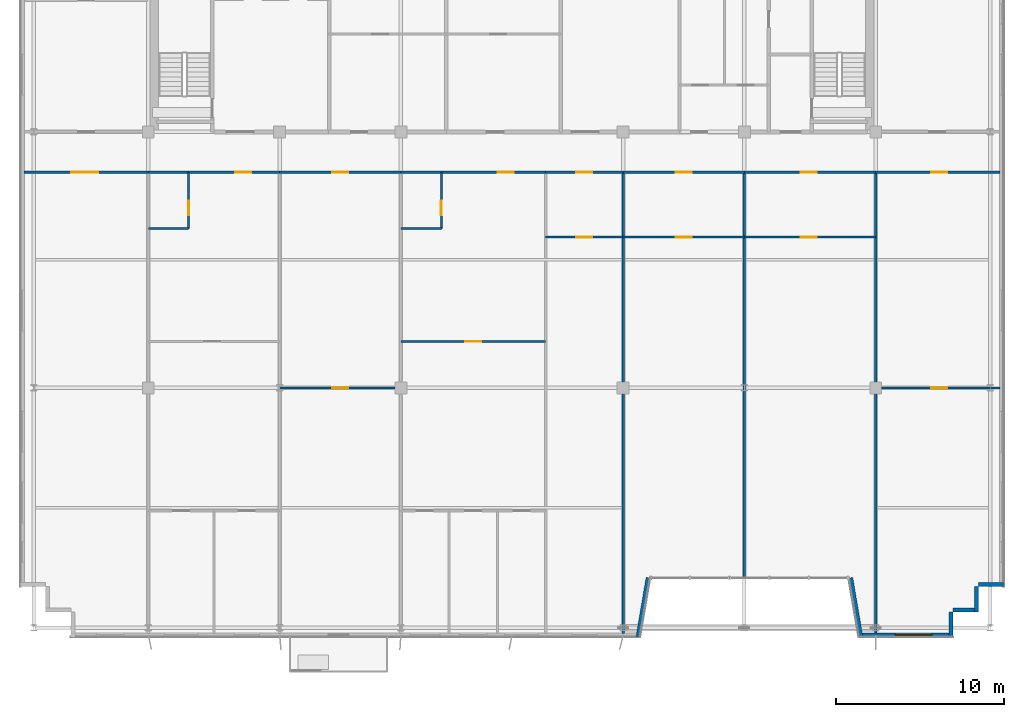
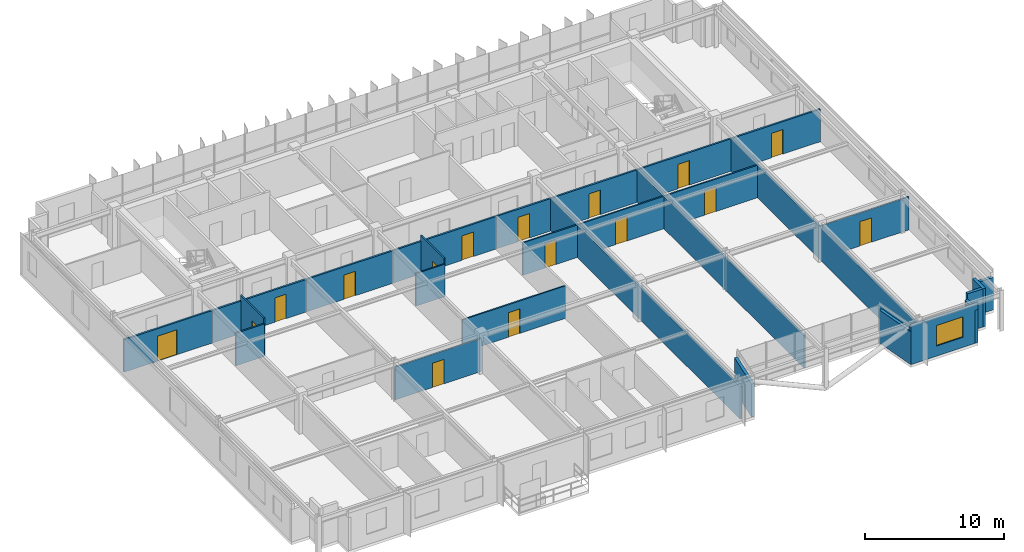
# One storey, part 22 of 27: 28 walls, 16 doors, 1 window, 17 openings.
"""IFC4 building model written with IfcOpenShell, lengths in metres."""

import ifcopenshell
import ifcopenshell.guid

model = None  # the IFC model being written
_history = None  # IfcOwnerHistory: only IFC2X3 demands one
_inside = {}  # id of a spatial element -> (the spatial element, [elements in it])
_under = {}  # id of a project, library or spatial element -> (it, [spatial elements below it])
_declared = {}  # id of a project -> (the project, [libraries it declares])
_typed = {}  # id of a type object -> (the type object, [elements of that type])
_made_of = {}  # id of a material, layer set ... -> (it, [elements and type objects made of it])


def new_model(schema):
    """Start an empty IFC model of exactly this schema.

    Asked for "IFC4X3", IfcOpenShell would pick the latest addendum, in which some entities
    have other attributes; the version numbers below select the first issue.
    IFC2X3 requires an IfcOwnerHistory on every rooted entity: one is made here for all.
    """
    global model, _history
    if schema == "IFC4X3":
        model = ifcopenshell.file(schema_version=(4, 3, 0, 0))
    else:
        model = ifcopenshell.file(schema=schema)
    _inside.clear()
    _under.clear()
    _declared.clear()
    _typed.clear()
    _made_of.clear()
    _history = None
    if model.schema == "IFC2X3":
        org = make("IfcOrganization", Name="unknown")
        user = make(
            "IfcPersonAndOrganization",
            ThePerson=make("IfcPerson", FamilyName="unknown"),
            TheOrganization=org,
        )
        app = make(
            "IfcApplication",
            ApplicationDeveloper=org,
            Version="unknown",
            ApplicationFullName="unknown",
            ApplicationIdentifier="unknown",
        )
        _history = make(
            "IfcOwnerHistory",
            OwningUser=user,
            OwningApplication=app,
            ChangeAction="ADDED",
            CreationDate=0,
        )
    return model


def make(cls, **values):
    """One entity of the class cls with the attributes given. An attribute that is None is left unset."""
    return model.create_entity(
        cls, **{name: value for name, value in values.items() if value is not None}
    )


def rooted(cls, **values):
    """An entity with a GlobalId (a new one), such as an element, a storey or a relation."""
    return make(cls, GlobalId=ifcopenshell.guid.new(), OwnerHistory=_history, **values)


def si_unit(unit_type, name, prefix=None):
    """IfcSIUnit, for example si_unit("LENGTHUNIT", "METRE", prefix="MILLI")."""
    return make("IfcSIUnit", UnitType=unit_type, Prefix=prefix, Name=name)


def assignment(units):
    """IfcUnitAssignment: the units of a project."""
    return None if units is None else make("IfcUnitAssignment", Units=units)


def point(xyz):
    """IfcCartesianPoint."""
    return None if xyz is None else make("IfcCartesianPoint", Coordinates=xyz)


def direction(xyz):
    """IfcDirection."""
    return None if xyz is None else make("IfcDirection", DirectionRatios=xyz)


def frame(location, z_axis=None, x_axis=None):
    """IfcAxis2Placement3D, a coordinate frame: its origin and axes. An axis left out is left unset."""
    return make(
        "IfcAxis2Placement3D",
        Location=point(location),
        Axis=direction(z_axis),
        RefDirection=direction(x_axis),
    )


def frame_2d(location, x_axis=None):
    """IfcAxis2Placement2D, a coordinate frame in the plane: its origin and x axis."""
    return make(
        "IfcAxis2Placement2D", Location=point(location), RefDirection=direction(x_axis)
    )


def origin():
    """The frame at (0, 0, 0) with its axes left unset."""
    return frame((0.0, 0.0, 0.0))


def place(relative_to, where):
    """IfcLocalPlacement: puts the frame where relative to a parent placement (None: the world)."""
    return make(
        "IfcLocalPlacement", PlacementRelTo=relative_to, RelativePlacement=where
    )


def context(
    kind, dimensions, precision=None, world=None, true_north=None, identifier=None
):
    """IfcGeometricRepresentationContext, for example the 3D "Model" context."""
    return make(
        "IfcGeometricRepresentationContext",
        ContextIdentifier=identifier,
        ContextType=kind,
        CoordinateSpaceDimension=dimensions,
        Precision=precision,
        WorldCoordinateSystem=world,
        TrueNorth=true_north,
    )


def subcontext(parent, identifier, kind, view, scale=None):
    """IfcGeometricRepresentationSubContext, for example "Body" below "Model"."""
    return make(
        "IfcGeometricRepresentationSubContext",
        ContextIdentifier=identifier,
        ContextType=kind,
        ParentContext=parent,
        TargetScale=scale,
        TargetView=view,
    )


def project(units=None, contexts=None):
    """IfcProject with its units and contexts."""
    return rooted(
        "IfcProject",
        Name="project",
        RepresentationContexts=contexts,
        UnitsInContext=assignment(units),
    )


def spatial(cls, under=None, at=None, **own):
    """A site, building, storey or space (cls), placed at a placement, below another one or the project."""
    s = rooted(cls, ObjectPlacement=at, **own)
    if under is not None:
        _under.setdefault(under.id(), (under, []))[1].append(s)
    return s


def profile(cls, at=None, kind="AREA", **sizes):
    """A parametric profile (cls). Its sizes go by their IFC names, for example OverallWidth=200.0."""
    return make(cls, ProfileType=kind, Position=at, **sizes)


def rectangle(**sizes):
    """IfcRectangleProfileDef."""
    return profile("IfcRectangleProfileDef", **sizes)


def extrude(swept, where, along, depth):
    """IfcExtrudedAreaSolid: the profile swept, set in the frame where, extruded along a direction by depth."""
    return make(
        "IfcExtrudedAreaSolid",
        SweptArea=swept,
        Position=where,
        ExtrudedDirection=direction(along),
        Depth=depth,
    )


def shape(context_of_items, identifier, shape_type, items):
    """IfcShapeRepresentation: the items that make up one representation, for example the "Body"."""
    return make(
        "IfcShapeRepresentation",
        ContextOfItems=context_of_items,
        RepresentationIdentifier=identifier,
        RepresentationType=shape_type,
        Items=items,
    )


def source(mapping_origin, context_of_items, identifier, shape_type, items):
    """IfcRepresentationMap: a shape defined once, which mapped items show again and again."""
    return make(
        "IfcRepresentationMap",
        MappingOrigin=mapping_origin,
        MappedRepresentation=shape(context_of_items, identifier, shape_type, items),
    )


def transform(
    local_origin,
    x_axis=None,
    y_axis=None,
    z_axis=None,
    scale=None,
    scale2=None,
    scale3=None,
    uniform=True,
):
    """IfcCartesianTransformationOperator3D, or its non-uniform kind. x_axis, y_axis, z_axis: its Axis1, 2, 3."""
    if uniform:
        return make(
            "IfcCartesianTransformationOperator3D",
            Axis1=direction(x_axis),
            Axis2=direction(y_axis),
            LocalOrigin=point(local_origin),
            Scale=scale,
            Axis3=direction(z_axis),
        )
    return make(
        "IfcCartesianTransformationOperator3DnonUniform",
        Axis1=direction(x_axis),
        Axis2=direction(y_axis),
        LocalOrigin=point(local_origin),
        Scale=scale,
        Axis3=direction(z_axis),
        Scale2=scale2,
        Scale3=scale3,
    )


def mapped(mapping_source, mapping_target):
    """IfcMappedItem: shows the shape of a source again, moved by a transform."""
    return make(
        "IfcMappedItem", MappingSource=mapping_source, MappingTarget=mapping_target
    )


def material(Name=None, Category=None):
    """IfcMaterial."""
    return make("IfcMaterial", Name=Name, Category=Category)


def layer(
    of_material, thickness, ventilated=None, Name=None, Category=None, Priority=None
):
    """IfcMaterialLayer: one layer of a wall or slab, of a material (None: an air gap)."""
    return make(
        "IfcMaterialLayer",
        Material=of_material,
        LayerThickness=thickness,
        IsVentilated=ventilated,
        Name=Name,
        Category=Category,
        Priority=Priority,
    )


def layer_set(layers, Name=None):
    """IfcMaterialLayerSet."""
    return make("IfcMaterialLayerSet", MaterialLayers=layers, LayerSetName=Name)


def made_of(thing, what):
    """Note that an element or type object is made of a material, layer set ...; save() writes the relation."""
    if what is not None:
        _made_of.setdefault(what.id(), (what, []))[1].append(thing)
    return thing


def type_object(cls, material=None, **own):
    """A type object (cls), such as IfcWallType, which elements share."""
    return made_of(rooted(cls, **own), material)


def element(
    cls,
    number,
    at=None,
    inside=None,
    cuts=None,
    type_object=None,
    material=None,
    context=None,
    identifier="Body",
    shape_type=None,
    held_by="IfcProductDefinitionShape",
    body=None,
    shapes=None,
    **own,
):
    """One element of the class cls, such as IfcWall. Its Tag is "e" and its number.

    at: its placement. inside: the storey or other place that contains it. cuts: it is an
    opening in that element (IfcRelVoidsElement). A single representation is given by context,
    identifier, shape_type and body (its items); several are given by shapes. held_by: the class
    of the entity that holds the representations. save() writes the other relations.
    """
    e = rooted(cls, Tag="e%d" % number, ObjectPlacement=at, **own)
    if body is not None:
        shapes = [shape(context, identifier, shape_type, body)]
    if shapes is not None:
        e.Representation = make(held_by, Representations=shapes)
    if inside is not None:
        _inside.setdefault(inside.id(), (inside, []))[1].append(e)
    if cuts is not None:
        rooted(
            "IfcRelVoidsElement", RelatingBuildingElement=cuts, RelatedOpeningElement=e
        )
    if type_object is not None:
        _typed.setdefault(type_object.id(), (type_object, []))[1].append(e)
    return made_of(e, material)


def fill(opening, filler):
    """IfcRelFillsElement: the door or window that sits in an opening."""
    return rooted(
        "IfcRelFillsElement",
        RelatingOpeningElement=opening,
        RelatedBuildingElement=filler,
    )


def aggregate(whole, parts):
    """IfcRelAggregates: a whole, such as a stair, and the parts it consists of."""
    return rooted("IfcRelAggregates", RelatingObject=whole, RelatedObjects=parts)


def save(model, path):
    """Write the relations noted so far, then the file.

    IfcRelAggregates (storeys below a building ...), IfcRelContainedInSpatialStructure (elements
    in a storey), IfcRelDefinesByType, IfcRelAssociatesMaterial and IfcRelDeclares: one each for
    every whole, place, type object, material and project.
    """
    for whole, parts in _under.values():
        aggregate(whole, parts)
    for where, things in _inside.values():
        rooted(
            "IfcRelContainedInSpatialStructure",
            RelatedElements=things,
            RelatingStructure=where,
        )
    for kind, things in _typed.values():
        rooted("IfcRelDefinesByType", RelatedObjects=things, RelatingType=kind)
    for what, things in _made_of.values():
        rooted("IfcRelAssociatesMaterial", RelatedObjects=things, RelatingMaterial=what)
    for by, libraries in _declared.values():
        rooted("IfcRelDeclares", RelatingContext=by, RelatedDefinitions=libraries)
    model.write(path)


model = new_model("IFC4")

# Units and contexts
model_context = context("Model", 3, precision=1e-05, world=origin(), true_north=direction((0.0, 1.0)))
body_context = subcontext(model_context, "Body", "Model", "MODEL_VIEW")
ifc_project = project(units=[si_unit("LENGTHUNIT", "METRE"), si_unit("AREAUNIT", "SQUARE_METRE"), si_unit("VOLUMEUNIT", "CUBIC_METRE"), si_unit("PLANEANGLEUNIT", "RADIAN"), si_unit("MASSUNIT", "GRAM", prefix="KILO")], contexts=[model_context])

# Site, building, storey
site_placement = place(None, origin())
site = spatial("IfcSite", under=ifc_project, at=site_placement, CompositionType="ELEMENT")
building_placement = place(site_placement, origin())
building = spatial("IfcBuilding", under=site, at=building_placement, Name="Trelvane Seafront Commons", CompositionType="ELEMENT")
storey_placement = place(building_placement, frame((0.0, 0.0, 233.699951171875)))
storey = spatial("IfcBuildingStorey", under=building, at=storey_placement, Name="L61", CompositionType="ELEMENT", Elevation=233.699951171875)

# Walls
ifc_material_1 = material(Name="Precast concrete C40/50", Category="concrete")
ifc_layer_1 = layer(ifc_material_1, 0.239990234375, Name="ARCH-WALL-EXT240")
ifc_layer_set_1 = layer_set([ifc_layer_1], Name="Precast concrete C40/50")
wall_type_1 = type_object("IfcWallType", Name="ARCH-WALL-EXT240", PredefinedType="SOLIDWALL", material=ifc_layer_set_1)
wall_1_placement = place(storey_placement, frame((66.39990234375, 6.52001953125, 0.0), z_axis=(0.0, 0.0, 1.0), x_axis=(-1.0, 0.0, 0.0)))
element("IfcWall", 1, at=wall_1_placement, inside=storey, type_object=wall_type_1, Name="EW-L61-01244", PredefinedType="SOLIDWALL", context=body_context, shape_type="SweptSolid", body=[
    extrude(rectangle(XDim=1.5, YDim=0.239990234375, at=frame_2d((0.75, 0.0))), origin(), (0.0, 0.0, 1.0), 2.860107421875),
])
for number, where, z_axis, x_axis, name in (
    (2, (64.780029296875, 6.39990234375, 0.0), (0.0, 0.0, 1.0), (0.0, -1.0, 0.0), "EW-L61-01245"),
    (3, (64.89990234375, 5.02001953125, 0.0), (0.0, 0.0, 1.0), (-1.0, 0.0, 0.0), "EW-L61-01246"),
):
    element("IfcWall", number, at=place(storey_placement, frame(where, z_axis=z_axis, x_axis=x_axis)), inside=storey, type_object=wall_type_1, Name=name, PredefinedType="SOLIDWALL", context=body_context, shape_type="SweptSolid", body=[
        extrude(rectangle(XDim=1.5, YDim=0.239990234375, at=frame_2d((0.75, 0.0))), origin(), (0.0, 0.0, 1.0), 3.360107421875),
    ])
wall_2_placement = place(storey_placement, frame((63.280029296875, 4.89990234375, 0.0), z_axis=(0.0, 0.0, 1.0), x_axis=(0.0, -1.0, 0.0)))
element("IfcWall", 4, at=wall_2_placement, inside=storey, type_object=wall_type_1, Name="EW-L61-01247", PredefinedType="SOLIDWALL", context=body_context, shape_type="SweptSolid", body=[
    extrude(rectangle(XDim=1.5, YDim=0.239990234375, at=frame_2d((0.75, 0.0))), origin(), (0.0, 0.0, 1.0), 2.91015625),
])

# Wall, opening, window
wall_3_placement = place(storey_placement, frame((63.39990234375, 3.52001953125, 0.0), z_axis=(0.0, 0.0, 1.0), x_axis=(-1.0, 0.0, 0.0)))
wall_3 = element("IfcWall", 5, at=wall_3_placement, inside=storey, type_object=wall_type_1, Name="EW-L61-01248", PredefinedType="SOLIDWALL", context=body_context, shape_type="SweptSolid", body=[
    extrude(rectangle(XDim=5.599853515625, YDim=0.239990234375, at=frame_2d((2.7998046875, 0.0))), origin(), (0.0, 0.0, 1.0), 3.360107421875),
])
opening_1_placement = place(wall_3_placement, frame((1.2451171875, 0.0, 0.89990234375)))
opening_1 = element("IfcOpeningElement", 6, at=opening_1_placement, cuts=wall_3, Name="Opening W02", PredefinedType="OPENING", context=body_context, shape_type="SweptSolid", body=[
    extrude(rectangle(XDim=2.199951171875, YDim=1.800048828125, at=frame_2d((1.10009765625, 0.89990234375))), frame((0.0, 0.1298828125, 0.0), z_axis=(0.0, -1.0, 0.0), x_axis=(1.0, 0.0, 0.0)), (0.0, 0.0, 1.0), 0.260009765625),
])
ifc_material_2 = material(Name="Low-E coastal double glazing", Category="glass")
window_type = type_object("IfcWindowType", Name="ARCH-WIN-W02", PartitioningType="SINGLE_PANEL", PredefinedType="WINDOW", material=ifc_material_2)
shared_shape_1 = source(origin(), body_context, "Body", "SweptSolid", [
    extrude(rectangle(XDim=2.199951171875, YDim=1.800048828125, at=frame_2d((1.10009765625, 0.89990234375))), frame((0.0, 0.030029296875, 0.0), z_axis=(0.0, -1.0, 0.0), x_axis=(1.0, 0.0, 0.0)), (0.0, 0.0, 1.0), 0.06005859375),
])
window_placement = place(opening_1_placement, origin())
window = element("IfcWindow", 7, at=window_placement, inside=storey, type_object=window_type, Name="WIN-L61-01503", OverallHeight=1.800048828125, OverallWidth=2.199951171875, PartitioningType="SINGLE_PANEL", PredefinedType="WINDOW", context=body_context, shape_type="MappedRepresentation", body=[
    mapped(shared_shape_1, transform((0.0, 0.0, 0.0), x_axis=(1.0, 0.0, 0.0), y_axis=(0.0, 1.0, 0.0), z_axis=(0.0, 0.0, 1.0), scale=1.0)),
])
fill(opening_1, window)

# Walls
for number, where, z_axis, x_axis, name in (
    (8, (57.918212890625, 3.42041015625, 0.0), (0.0, 0.0, 1.0), (-0.168923741424, 0.98562912375, 0.0), "EW-L61-01249"),
    (9, (45.28173828125, 6.92041015625, 0.0), (0.0, 0.0, 1.0), (-0.168990530437, -0.98561767467, 0.0), "EW-L61-01250"),
):
    element("IfcWall", number, at=place(storey_placement, frame(where, z_axis=z_axis, x_axis=x_axis)), inside=storey, type_object=wall_type_1, Name=name, PredefinedType="SOLIDWALL", context=body_context, shape_type="SweptSolid", body=[
        extrude(rectangle(XDim=3.551025390625, YDim=0.239990234375, at=frame_2d((1.775390625, 0.0))), origin(), (0.0, 0.0, 1.0), 2.91015625),
    ])

# Wall, opening, door
ifc_material_3 = material(Name="Gypsum Drywall Acoustic Partition")
ifc_layer_2 = layer(ifc_material_3, 0.1201171875, Name="ARCH-WALL-PART120")
ifc_layer_set_2 = layer_set([ifc_layer_2], Name="Gypsum Drywall Acoustic Partition")
wall_type_2 = type_object("IfcWallType", Name="ARCH-WALL-PART120", PredefinedType="PARTITIONING", material=ifc_layer_set_2)
wall_4_placement = place(storey_placement, frame((18.0, 27.64990234375, 0.0), z_axis=(0.0, 0.0, 1.0), x_axis=(0.0, 1.0, 0.0)))
wall_4 = element("IfcWall", 10, at=wall_4_placement, inside=storey, type_object=wall_type_2, Name="W-L61-U2-BE-050", PredefinedType="PARTITIONING", context=body_context, shape_type="SweptSolid", body=[
    extrude(rectangle(XDim=3.35009765625, YDim=0.1201171875, at=frame_2d((1.675048828125, 0.0))), origin(), (0.0, 0.0, 1.0), 3.360107421875),
])
opening_2_placement = place(wall_4_placement, frame((0.800048828125, 0.0, 0.0)))
opening_2 = element("IfcOpeningElement", 11, at=opening_2_placement, cuts=wall_4, Name="Opening D-L61-30", PredefinedType="OPENING", context=body_context, shape_type="SweptSolid", body=[
    extrude(rectangle(XDim=0.85009765625, YDim=2.10009765625, at=frame_2d((0.425048828125, 1.050048828125))), frame((0.0, 0.070068359375, 0.0), z_axis=(0.0, -1.0, 0.0), x_axis=(1.0, 0.0, 0.0)), (0.0, 0.0, 1.0), 0.14013671875),
])
ifc_material_4 = material(Name="Acoustic timber door leaf", Category="wood")
door_type_1 = type_object("IfcDoorType", Name="ARCH-DR-INT850", OperationType="NOTDEFINED", PredefinedType="DOOR", material=ifc_material_4)
shared_shape_2 = source(origin(), body_context, "Body", "SweptSolid", [
    extrude(rectangle(XDim=0.85009765625, YDim=2.10009765625, at=frame_2d((0.425048828125, 1.050048828125))), frame((0.0, 0.02490234375, 0.0), z_axis=(0.0, -1.0, 0.0), x_axis=(1.0, 0.0, 0.0)), (0.0, 0.0, 1.0), 0.050048828125),
])
door_1_placement = place(opening_2_placement, origin())
door_1 = element("IfcDoor", 12, at=door_1_placement, inside=storey, type_object=door_type_1, Name="L61 Door 30", OperationType="SINGLE_SWING_RIGHT", OverallHeight=2.10009765625, OverallWidth=0.85009765625, PredefinedType="DOOR", context=body_context, shape_type="MappedRepresentation", body=[
    mapped(shared_shape_2, transform((0.0, 0.0, 0.0), x_axis=(1.0, 0.0, 0.0), y_axis=(0.0, 1.0, 0.0), z_axis=(0.0, 0.0, 1.0), scale=1.0)),
])
fill(opening_2, door_1)

# Wall
wall_5_placement = place(storey_placement, frame((15.60009765625, 27.64990234375, 0.0), z_axis=(0.0, 0.0, 1.0), x_axis=(1.0, 0.0, 0.0)))
element("IfcWall", 13, at=wall_5_placement, inside=storey, type_object=wall_type_2, Name="W-L61-U2-BS-051", PredefinedType="PARTITIONING", context=body_context, shape_type="SweptSolid", body=[
    extrude(rectangle(XDim=2.39990234375, YDim=0.1201171875, at=frame_2d((1.199951171875, 0.0))), origin(), (0.0, 0.0, 1.0), 2.860107421875),
])

# Wall, opening, door
wall_6_placement = place(storey_placement, frame((23.39990234375, 18.199951171875, 0.0), z_axis=(0.0, 0.0, 1.0), x_axis=(1.0, 0.0, 0.0)))
wall_6 = element("IfcWall", 14, at=wall_6_placement, inside=storey, type_object=wall_type_2, Name="W-L61-U3-DIV-057", PredefinedType="PARTITIONING", context=body_context, shape_type="SweptSolid", body=[
    extrude(rectangle(XDim=7.2001953125, YDim=0.1201171875, at=frame_2d((3.60009765625, 0.0))), origin(), (0.0, 0.0, 1.0), 2.91015625),
])
opening_3_placement = place(wall_6_placement, frame((3.125, 0.0, 0.0)))
opening_3 = element("IfcOpeningElement", 15, at=opening_3_placement, cuts=wall_6, Name="Opening D-L61-35", PredefinedType="OPENING", context=body_context, shape_type="SweptSolid", body=[
    extrude(rectangle(XDim=0.949951171875, YDim=2.14990234375, at=frame_2d((0.47509765625, 1.074951171875))), frame((0.0, 0.070068359375, 0.0), z_axis=(0.0, -1.0, 0.0), x_axis=(1.0, 0.0, 0.0)), (0.0, 0.0, 1.0), 0.14013671875),
])
door_type_2 = type_object("IfcDoorType", Name="ARCH-DR-INT950", OperationType="NOTDEFINED", PredefinedType="DOOR", material=ifc_material_4)
shared_shape_3 = source(origin(), body_context, "Body", "SweptSolid", [
    extrude(rectangle(XDim=0.949951171875, YDim=2.14990234375, at=frame_2d((0.47509765625, 1.074951171875))), frame((0.0, 0.02490234375, 0.0), z_axis=(0.0, -1.0, 0.0), x_axis=(1.0, 0.0, 0.0)), (0.0, 0.0, 1.0), 0.050048828125),
])
door_2_placement = place(opening_3_placement, origin())
door_2 = element("IfcDoor", 16, at=door_2_placement, inside=storey, type_object=door_type_2, Name="L61 Door 35", OperationType="SINGLE_SWING_LEFT", OverallHeight=2.14990234375, OverallWidth=0.949951171875, PredefinedType="DOOR", context=body_context, shape_type="MappedRepresentation", body=[
    mapped(shared_shape_3, transform((0.0, 0.0, 0.0), x_axis=(1.0, 0.0, 0.0), y_axis=(0.0, 1.0, 0.0), z_axis=(0.0, 0.0, 1.0), scale=1.0)),
])
fill(opening_3, door_2)

wall_7_placement = place(storey_placement, frame((30.60009765625, 20.949951171875, 0.0), z_axis=(0.0, 0.0, 1.0), x_axis=(1.0, 0.0, 0.0)))
wall_7 = element("IfcWall", 17, at=wall_7_placement, inside=storey, type_object=wall_type_2, Name="W-L61-U4-KL-058", PredefinedType="PARTITIONING", context=body_context, shape_type="SweptSolid", body=[
    extrude(rectangle(XDim=8.599853515625, YDim=0.1201171875, at=frame_2d((4.2998046875, 0.0))), origin(), (0.0, 0.0, 1.0), 2.860107421875),
])
opening_4_placement = place(wall_7_placement, frame((3.824951171875, 0.0, 0.0)))
opening_4 = element("IfcOpeningElement", 18, at=opening_4_placement, cuts=wall_7, Name="Opening D-L61-36", PredefinedType="OPENING", context=body_context, shape_type="SweptSolid", body=[
    extrude(rectangle(XDim=0.949951171875, YDim=2.14990234375, at=frame_2d((0.47509765625, 1.074951171875))), frame((0.0, 0.070068359375, 0.0), z_axis=(0.0, -1.0, 0.0), x_axis=(1.0, 0.0, 0.0)), (0.0, 0.0, 1.0), 0.14013671875),
])
door_3_placement = place(opening_4_placement, origin())
door_3 = element("IfcDoor", 19, at=door_3_placement, inside=storey, type_object=door_type_2, Name="L61 Door 36", OperationType="SINGLE_SWING_RIGHT", OverallHeight=2.14990234375, OverallWidth=0.949951171875, PredefinedType="DOOR", context=body_context, shape_type="MappedRepresentation", body=[
    mapped(shared_shape_3, transform((0.0, 0.0, 0.0), x_axis=(1.0, 0.0, 0.0), y_axis=(0.0, 1.0, 0.0), z_axis=(0.0, 0.0, 1.0), scale=1.0)),
])
fill(opening_4, door_3)

wall_8_placement = place(storey_placement, frame((33.0, 27.64990234375, 0.0), z_axis=(0.0, 0.0, 1.0), x_axis=(0.0, 1.0, 0.0)))
wall_8 = element("IfcWall", 20, at=wall_8_placement, inside=storey, type_object=wall_type_2, Name="W-L61-U4-BE-059", PredefinedType="PARTITIONING", context=body_context, shape_type="SweptSolid", body=[
    extrude(rectangle(XDim=3.35009765625, YDim=0.1201171875, at=frame_2d((1.675048828125, 0.0))), origin(), (0.0, 0.0, 1.0), 3.360107421875),
])
opening_5_placement = place(wall_8_placement, frame((0.800048828125, 0.0, 0.0)))
opening_5 = element("IfcOpeningElement", 21, at=opening_5_placement, cuts=wall_8, Name="Opening D-L61-37", PredefinedType="OPENING", context=body_context, shape_type="SweptSolid", body=[
    extrude(rectangle(XDim=0.85009765625, YDim=2.10009765625, at=frame_2d((0.425048828125, 1.050048828125))), frame((0.0, 0.070068359375, 0.0), z_axis=(0.0, -1.0, 0.0), x_axis=(1.0, 0.0, 0.0)), (0.0, 0.0, 1.0), 0.14013671875),
])
door_4_placement = place(opening_5_placement, origin())
door_4 = element("IfcDoor", 22, at=door_4_placement, inside=storey, type_object=door_type_1, Name="L61 Door 37", OperationType="SINGLE_SWING_LEFT", OverallHeight=2.10009765625, OverallWidth=0.85009765625, PredefinedType="DOOR", context=body_context, shape_type="MappedRepresentation", body=[
    mapped(shared_shape_2, transform((0.0, 0.0, 0.0), x_axis=(1.0, 0.0, 0.0), y_axis=(0.0, 1.0, 0.0), z_axis=(0.0, 0.0, 1.0), scale=1.0)),
])
fill(opening_5, door_4)

# Wall
wall_9_placement = place(storey_placement, frame((30.60009765625, 27.64990234375, 0.0), z_axis=(0.0, 0.0, 1.0), x_axis=(1.0, 0.0, 0.0)))
element("IfcWall", 23, at=wall_9_placement, inside=storey, type_object=wall_type_2, Name="W-L61-U4-BS-060", PredefinedType="PARTITIONING", context=body_context, shape_type="SweptSolid", body=[
    extrude(rectangle(XDim=2.39990234375, YDim=0.1201171875, at=frame_2d((1.199951171875, 0.0))), origin(), (0.0, 0.0, 1.0), 2.860107421875),
])

# Wall, opening, door
wall_10_placement = place(storey_placement, frame((39.199951171875, 27.14990234375, 0.0), z_axis=(0.0, 0.0, 1.0), x_axis=(1.0, 0.0, 0.0)))
wall_10 = element("IfcWall", 24, at=wall_10_placement, inside=storey, type_object=wall_type_2, Name="W-L61-U5-DIV-068", PredefinedType="PARTITIONING", context=body_context, shape_type="SweptSolid", body=[
    extrude(rectangle(XDim=4.60009765625, YDim=0.1201171875, at=frame_2d((2.300048828125, 0.0))), origin(), (0.0, 0.0, 1.0), 2.860107421875),
])
opening_6_placement = place(wall_10_placement, frame((1.824951171875, 0.0, 0.0)))
opening_6 = element("IfcOpeningElement", 25, at=opening_6_placement, cuts=wall_10, Name="Opening D-L61-43", PredefinedType="OPENING", context=body_context, shape_type="SweptSolid", body=[
    extrude(rectangle(XDim=0.949951171875, YDim=2.14990234375, at=frame_2d((0.47509765625, 1.074951171875))), frame((0.0, 0.070068359375, 0.0), z_axis=(0.0, -1.0, 0.0), x_axis=(1.0, 0.0, 0.0)), (0.0, 0.0, 1.0), 0.14013671875),
])
door_5_placement = place(opening_6_placement, origin())
door_5 = element("IfcDoor", 26, at=door_5_placement, inside=storey, type_object=door_type_2, Name="L61 Door 43", OperationType="SINGLE_SWING_LEFT", OverallHeight=2.14990234375, OverallWidth=0.949951171875, PredefinedType="DOOR", context=body_context, shape_type="MappedRepresentation", body=[
    mapped(shared_shape_3, transform((0.0, 0.0, 0.0), x_axis=(1.0, 0.0, 0.0), y_axis=(0.0, 1.0, 0.0), z_axis=(0.0, 0.0, 1.0), scale=1.0)),
])
fill(opening_6, door_5)

wall_11_placement = place(storey_placement, frame((43.800048828125, 27.14990234375, 0.0), z_axis=(0.0, 0.0, 1.0), x_axis=(1.0, 0.0, 0.0)))
wall_11 = element("IfcWall", 27, at=wall_11_placement, inside=storey, type_object=wall_type_2, Name="W-L61-U6-DIV-070", PredefinedType="PARTITIONING", context=body_context, shape_type="SweptSolid", body=[
    extrude(rectangle(XDim=7.199951171875, YDim=0.1201171875, at=frame_2d((3.60009765625, 0.0))), origin(), (0.0, 0.0, 1.0), 2.860107421875),
])
opening_7_placement = place(wall_11_placement, frame((3.125, 0.0, 0.0)))
opening_7 = element("IfcOpeningElement", 28, at=opening_7_placement, cuts=wall_11, Name="Opening D-L61-45", PredefinedType="OPENING", context=body_context, shape_type="SweptSolid", body=[
    extrude(rectangle(XDim=0.949951171875, YDim=2.14990234375, at=frame_2d((0.47509765625, 1.074951171875))), frame((0.0, 0.070068359375, 0.0), z_axis=(0.0, -1.0, 0.0), x_axis=(1.0, 0.0, 0.0)), (0.0, 0.0, 1.0), 0.14013671875),
])
door_6_placement = place(opening_7_placement, origin())
door_6 = element("IfcDoor", 29, at=door_6_placement, inside=storey, type_object=door_type_2, Name="L61 Door 45", OperationType="SINGLE_SWING_LEFT", OverallHeight=2.14990234375, OverallWidth=0.949951171875, PredefinedType="DOOR", context=body_context, shape_type="MappedRepresentation", body=[
    mapped(shared_shape_3, transform((0.0, 0.0, 0.0), x_axis=(1.0, 0.0, 0.0), y_axis=(0.0, 1.0, 0.0), z_axis=(0.0, 0.0, 1.0), scale=1.0)),
])
fill(opening_7, door_6)

wall_12_placement = place(storey_placement, frame((51.0, 27.14990234375, 0.0), z_axis=(0.0, 0.0, 1.0), x_axis=(1.0, 0.0, 0.0)))
wall_12 = element("IfcWall", 30, at=wall_12_placement, inside=storey, type_object=wall_type_2, Name="W-L61-U7-DIV-072", PredefinedType="PARTITIONING", context=body_context, shape_type="SweptSolid", body=[
    extrude(rectangle(XDim=7.800048828125, YDim=0.1201171875, at=frame_2d((3.89990234375, 0.0))), origin(), (0.0, 0.0, 1.0), 2.860107421875),
])
opening_8_placement = place(wall_12_placement, frame((3.3330078125, 0.0, 0.0)))
opening_8 = element("IfcOpeningElement", 31, at=opening_8_placement, cuts=wall_12, Name="Opening D-L61-47", PredefinedType="OPENING", context=body_context, shape_type="SweptSolid", body=[
    extrude(rectangle(XDim=0.949951171875, YDim=2.14990234375, at=frame_2d((0.47509765625, 1.074951171875))), frame((0.0, 0.070068359375, 0.0), z_axis=(0.0, -1.0, 0.0), x_axis=(1.0, 0.0, 0.0)), (0.0, 0.0, 1.0), 0.14013671875),
])
door_7_placement = place(opening_8_placement, origin())
door_7 = element("IfcDoor", 32, at=door_7_placement, inside=storey, type_object=door_type_2, Name="L61 Door 47", OperationType="SINGLE_SWING_LEFT", OverallHeight=2.14990234375, OverallWidth=0.949951171875, PredefinedType="DOOR", context=body_context, shape_type="MappedRepresentation", body=[
    mapped(shared_shape_3, transform((0.0, 0.0, 0.0), x_axis=(1.0, 0.0, 0.0), y_axis=(0.0, 1.0, 0.0), z_axis=(0.0, 0.0, 1.0), scale=1.0)),
])
fill(opening_8, door_7)

wall_13_placement = place(storey_placement, frame((58.800048828125, 18.199951171875, 0.0), z_axis=(0.0, 0.0, 1.0), x_axis=(1.0, 0.0, 0.0)))
wall_13 = element("IfcWall", 33, at=wall_13_placement, inside=storey, type_object=wall_type_2, Name="W-L61-U8-DIV-074", PredefinedType="PARTITIONING", context=body_context, shape_type="SweptSolid", body=[
    extrude(rectangle(XDim=7.375, YDim=0.1201171875, at=frame_2d((3.6875, 0.0))), origin(), (0.0, 0.0, 1.0), 2.91015625),
])
opening_9_placement = place(wall_13_placement, frame((3.303955078125, 0.0, 0.0)))
opening_9 = element("IfcOpeningElement", 34, at=opening_9_placement, cuts=wall_13, Name="Opening D-L61-49", PredefinedType="OPENING", context=body_context, shape_type="SweptSolid", body=[
    extrude(rectangle(XDim=0.949951171875, YDim=2.14990234375, at=frame_2d((0.47509765625, 1.074951171875))), frame((0.0, 0.070068359375, 0.0), z_axis=(0.0, -1.0, 0.0), x_axis=(1.0, 0.0, 0.0)), (0.0, 0.0, 1.0), 0.14013671875),
])
door_8_placement = place(opening_9_placement, origin())
door_8 = element("IfcDoor", 35, at=door_8_placement, inside=storey, type_object=door_type_2, Name="L61 Door 49", OperationType="SINGLE_SWING_LEFT", OverallHeight=2.14990234375, OverallWidth=0.949951171875, PredefinedType="DOOR", context=body_context, shape_type="MappedRepresentation", body=[
    mapped(shared_shape_3, transform((0.0, 0.0, 0.0), x_axis=(1.0, 0.0, 0.0), y_axis=(0.0, 1.0, 0.0), z_axis=(0.0, 0.0, 1.0), scale=1.0)),
])
fill(opening_9, door_8)

# Walls
ifc_layer_3 = layer(ifc_material_3, 0.14990234375, Name="ARCH-WALL-PART150")
ifc_layer_set_3 = layer_set([ifc_layer_3], Name="Gypsum Drywall Acoustic Partition")
wall_type_3 = type_object("IfcWallType", Name="ARCH-WALL-PART150", PredefinedType="PARTITIONING", material=ifc_layer_set_3)
wall_14_placement = place(storey_placement, frame((43.800048828125, 3.625, 0.0), z_axis=(0.0, 0.0, 1.0), x_axis=(0.0, 1.0, 0.0)))
element("IfcWall", 36, at=wall_14_placement, inside=storey, type_object=wall_type_3, Name="W-L61-PW-5-045", PredefinedType="PARTITIONING", context=body_context, shape_type="SweptSolid", body=[
    extrude(rectangle(XDim=27.375, YDim=0.14990234375, at=frame_2d((13.6875, 0.0))), origin(), (0.0, 0.0, 1.0), 2.860107421875),
])
wall_15_placement = place(storey_placement, frame((51.0, 6.909912109375, 0.0), z_axis=(0.0, 0.0, 1.0), x_axis=(0.0, 1.0, 0.0)))
element("IfcWall", 37, at=wall_15_placement, inside=storey, type_object=wall_type_3, Name="W-L61-PW-6-046", PredefinedType="PARTITIONING", context=body_context, shape_type="SweptSolid", body=[
    extrude(rectangle(XDim=24.090087890625, YDim=0.14990234375, at=frame_2d((12.044921875, 0.0))), origin(), (0.0, 0.0, 1.0), 2.860107421875),
])
wall_16_placement = place(storey_placement, frame((58.800048828125, 3.625, 0.0), z_axis=(0.0, 0.0, 1.0), x_axis=(0.0, 1.0, 0.0)))
element("IfcWall", 38, at=wall_16_placement, inside=storey, type_object=wall_type_3, Name="W-L61-PW-7-047", PredefinedType="PARTITIONING", context=body_context, shape_type="SweptSolid", body=[
    extrude(rectangle(XDim=27.375, YDim=0.14990234375, at=frame_2d((13.6875, 0.0))), origin(), (0.0, 0.0, 1.0), 2.860107421875),
])

# Wall, opening, door
wall_17_placement = place(storey_placement, frame((8.22509765625, 31.0, 0.0), z_axis=(0.0, 0.0, 1.0), x_axis=(1.0, 0.0, 0.0)))
wall_17 = element("IfcWall", 39, at=wall_17_placement, inside=storey, type_object=wall_type_3, Name="W-L61-CS-BAY-1-048", PredefinedType="PARTITIONING", context=body_context, shape_type="SweptSolid", body=[
    extrude(rectangle(XDim=7.375, YDim=0.14990234375, at=frame_2d((3.6875, 0.0))), origin(), (0.0, 0.0, 1.0), 2.860107421875),
])
opening_10_placement = place(wall_17_placement, frame((2.794921875, 0.0, 0.0)))
opening_10 = element("IfcOpeningElement", 40, at=opening_10_placement, cuts=wall_17, Name="Opening D-L61-28", PredefinedType="OPENING", context=body_context, shape_type="SweptSolid", body=[
    extrude(rectangle(XDim=1.60009765625, YDim=2.199951171875, at=frame_2d((0.800048828125, 1.10009765625))), frame((0.0, 0.0849609375, 0.0), z_axis=(0.0, -1.0, 0.0), x_axis=(1.0, 0.0, 0.0)), (0.0, 0.0, 1.0), 0.169921875),
])
door_type_3 = type_object("IfcDoorType", Name="ARCH-DR-GLZ1600", OperationType="DOUBLE_DOOR_SINGLE_SWING", PredefinedType="DOOR", material=ifc_material_4)
shared_shape_4 = source(origin(), body_context, "Body", "SweptSolid", [
    extrude(rectangle(XDim=1.60009765625, YDim=2.199951171875, at=frame_2d((0.800048828125, 1.10009765625))), frame((0.0, 0.02490234375, 0.0), z_axis=(0.0, -1.0, 0.0), x_axis=(1.0, 0.0, 0.0)), (0.0, 0.0, 1.0), 0.050048828125),
])
door_9_placement = place(opening_10_placement, origin())
door_9 = element("IfcDoor", 41, at=door_9_placement, inside=storey, type_object=door_type_3, Name="L61 Commons Lounge 01 Door", OperationType="DOUBLE_DOOR_SINGLE_SWING", OverallHeight=2.199951171875, OverallWidth=1.60009765625, PredefinedType="DOOR", context=body_context, shape_type="MappedRepresentation", body=[
    mapped(shared_shape_4, transform((0.0, 0.0, 0.0), x_axis=(1.0, 0.0, 0.0), y_axis=(0.0, 1.0, 0.0), z_axis=(0.0, 0.0, 1.0), scale=1.0)),
])
fill(opening_10, door_9)

wall_18_placement = place(storey_placement, frame((15.60009765625, 31.0, 0.0), z_axis=(0.0, 0.0, 1.0), x_axis=(1.0, 0.0, 0.0)))
wall_18 = element("IfcWall", 42, at=wall_18_placement, inside=storey, type_object=wall_type_3, Name="W-L61-CS-BAY-2-052", PredefinedType="PARTITIONING", context=body_context, shape_type="SweptSolid", body=[
    extrude(rectangle(XDim=7.7998046875, YDim=0.14990234375, at=frame_2d((3.89990234375, 0.0))), origin(), (0.0, 0.0, 1.0), 2.860107421875),
])
opening_11_placement = place(wall_18_placement, frame((5.172119140625, 0.0, 0.0)))
opening_11 = element("IfcOpeningElement", 43, at=opening_11_placement, cuts=wall_18, Name="Opening FD-L61-31", PredefinedType="OPENING", context=body_context, shape_type="SweptSolid", body=[
    extrude(rectangle(XDim=0.949951171875, YDim=2.14990234375, at=frame_2d((0.47509765625, 1.074951171875))), frame((0.0, 0.0849609375, 0.0), z_axis=(0.0, -1.0, 0.0), x_axis=(1.0, 0.0, 0.0)), (0.0, 0.0, 1.0), 0.169921875),
])
ifc_material_5 = material(Name="Powder-coated aluminium frame", Category="aluminium")
door_type_4 = type_object("IfcDoorType", Name="ARCH-DR-FD60-950", OperationType="NOTDEFINED", PredefinedType="DOOR", material=ifc_material_5)
door_10_placement = place(opening_11_placement, origin())
door_10 = element("IfcDoor", 44, at=door_10_placement, inside=storey, type_object=door_type_4, Name="L61 Unit 02 Entrance Door", OperationType="SINGLE_SWING_LEFT", OverallHeight=2.14990234375, OverallWidth=0.949951171875, PredefinedType="DOOR", context=body_context, shape_type="MappedRepresentation", body=[
    mapped(shared_shape_3, transform((0.0, 0.0, 0.0), x_axis=(1.0, 0.0, 0.0), y_axis=(0.0, 1.0, 0.0), z_axis=(0.0, 0.0, 1.0), scale=1.0)),
])
fill(opening_11, door_10)

wall_19_placement = place(storey_placement, frame((23.39990234375, 31.0, 0.0), z_axis=(0.0, 0.0, 1.0), x_axis=(1.0, 0.0, 0.0)))
wall_19 = element("IfcWall", 45, at=wall_19_placement, inside=storey, type_object=wall_type_3, Name="W-L61-CS-BAY-3-056", PredefinedType="PARTITIONING", context=body_context, shape_type="SweptSolid", body=[
    extrude(rectangle(XDim=7.2001953125, YDim=0.14990234375, at=frame_2d((3.60009765625, 0.0))), origin(), (0.0, 0.0, 1.0), 2.860107421875),
])
opening_12_placement = place(wall_19_placement, frame((3.125, 0.0, 0.0)))
opening_12 = element("IfcOpeningElement", 46, at=opening_12_placement, cuts=wall_19, Name="Opening FD-L61-34", PredefinedType="OPENING", context=body_context, shape_type="SweptSolid", body=[
    extrude(rectangle(XDim=0.949951171875, YDim=2.14990234375, at=frame_2d((0.47509765625, 1.074951171875))), frame((0.0, 0.0849609375, 0.0), z_axis=(0.0, -1.0, 0.0), x_axis=(1.0, 0.0, 0.0)), (0.0, 0.0, 1.0), 0.169921875),
])
door_11_placement = place(opening_12_placement, origin())
door_11 = element("IfcDoor", 47, at=door_11_placement, inside=storey, type_object=door_type_4, Name="L61 Bay 03 Entrance Door", OperationType="SINGLE_SWING_RIGHT", OverallHeight=2.14990234375, OverallWidth=0.949951171875, PredefinedType="DOOR", context=body_context, shape_type="MappedRepresentation", body=[
    mapped(shared_shape_3, transform((0.0, 0.0, 0.0), x_axis=(1.0, 0.0, 0.0), y_axis=(0.0, 1.0, 0.0), z_axis=(0.0, 0.0, 1.0), scale=1.0)),
])
fill(opening_12, door_11)

wall_20_placement = place(storey_placement, frame((30.60009765625, 31.0, 0.0), z_axis=(0.0, 0.0, 1.0), x_axis=(1.0, 0.0, 0.0)))
wall_20 = element("IfcWall", 48, at=wall_20_placement, inside=storey, type_object=wall_type_3, Name="W-L61-CS-BAY-4-061", PredefinedType="PARTITIONING", context=body_context, shape_type="SweptSolid", body=[
    extrude(rectangle(XDim=8.599853515625, YDim=0.14990234375, at=frame_2d((4.2998046875, 0.0))), origin(), (0.0, 0.0, 1.0), 2.860107421875),
])
opening_13_placement = place(wall_20_placement, frame((5.76708984375, 0.0, 0.0)))
opening_13 = element("IfcOpeningElement", 49, at=opening_13_placement, cuts=wall_20, Name="Opening FD-L61-38", PredefinedType="OPENING", context=body_context, shape_type="SweptSolid", body=[
    extrude(rectangle(XDim=0.949951171875, YDim=2.14990234375, at=frame_2d((0.47509765625, 1.074951171875))), frame((0.0, 0.0849609375, 0.0), z_axis=(0.0, -1.0, 0.0), x_axis=(1.0, 0.0, 0.0)), (0.0, 0.0, 1.0), 0.169921875),
])
door_12_placement = place(opening_13_placement, origin())
door_12 = element("IfcDoor", 50, at=door_12_placement, inside=storey, type_object=door_type_4, Name="L61 Unit 04 Entrance Door", OperationType="SINGLE_SWING_RIGHT", OverallHeight=2.14990234375, OverallWidth=0.949951171875, PredefinedType="DOOR", context=body_context, shape_type="MappedRepresentation", body=[
    mapped(shared_shape_3, transform((0.0, 0.0, 0.0), x_axis=(1.0, 0.0, 0.0), y_axis=(0.0, 1.0, 0.0), z_axis=(0.0, 0.0, 1.0), scale=1.0)),
])
fill(opening_13, door_12)

wall_21_placement = place(storey_placement, frame((39.199951171875, 31.0, 0.0), z_axis=(0.0, 0.0, 1.0), x_axis=(1.0, 0.0, 0.0)))
wall_21 = element("IfcWall", 51, at=wall_21_placement, inside=storey, type_object=wall_type_3, Name="W-L61-CS-BAY-5-067", PredefinedType="PARTITIONING", context=body_context, shape_type="SweptSolid", body=[
    extrude(rectangle(XDim=4.60009765625, YDim=0.14990234375, at=frame_2d((2.300048828125, 0.0))), origin(), (0.0, 0.0, 1.0), 2.860107421875),
])
opening_14_placement = place(wall_21_placement, frame((1.824951171875, 0.0, 0.0)))
opening_14 = element("IfcOpeningElement", 52, at=opening_14_placement, cuts=wall_21, Name="Opening FD-L61-42", PredefinedType="OPENING", context=body_context, shape_type="SweptSolid", body=[
    extrude(rectangle(XDim=0.949951171875, YDim=2.14990234375, at=frame_2d((0.47509765625, 1.074951171875))), frame((0.0, 0.0849609375, 0.0), z_axis=(0.0, -1.0, 0.0), x_axis=(1.0, 0.0, 0.0)), (0.0, 0.0, 1.0), 0.169921875),
])
door_13_placement = place(opening_14_placement, origin())
door_13 = element("IfcDoor", 53, at=door_13_placement, inside=storey, type_object=door_type_4, Name="L61 Bay 05 Entrance Door", OperationType="SINGLE_SWING_RIGHT", OverallHeight=2.14990234375, OverallWidth=0.949951171875, PredefinedType="DOOR", context=body_context, shape_type="MappedRepresentation", body=[
    mapped(shared_shape_3, transform((0.0, 0.0, 0.0), x_axis=(1.0, 0.0, 0.0), y_axis=(0.0, 1.0, 0.0), z_axis=(0.0, 0.0, 1.0), scale=1.0)),
])
fill(opening_14, door_13)

wall_22_placement = place(storey_placement, frame((43.800048828125, 31.0, 0.0), z_axis=(0.0, 0.0, 1.0), x_axis=(1.0, 0.0, 0.0)))
wall_22 = element("IfcWall", 54, at=wall_22_placement, inside=storey, type_object=wall_type_3, Name="W-L61-CS-BAY-6-069", PredefinedType="PARTITIONING", context=body_context, shape_type="SweptSolid", body=[
    extrude(rectangle(XDim=7.199951171875, YDim=0.14990234375, at=frame_2d((3.60009765625, 0.0))), origin(), (0.0, 0.0, 1.0), 2.860107421875),
])
opening_15_placement = place(wall_22_placement, frame((3.125, 0.0, 0.0)))
opening_15 = element("IfcOpeningElement", 55, at=opening_15_placement, cuts=wall_22, Name="Opening FD-L61-44", PredefinedType="OPENING", context=body_context, shape_type="SweptSolid", body=[
    extrude(rectangle(XDim=0.949951171875, YDim=2.14990234375, at=frame_2d((0.47509765625, 1.074951171875))), frame((0.0, 0.0849609375, 0.0), z_axis=(0.0, -1.0, 0.0), x_axis=(1.0, 0.0, 0.0)), (0.0, 0.0, 1.0), 0.169921875),
])
door_14_placement = place(opening_15_placement, origin())
door_14 = element("IfcDoor", 56, at=door_14_placement, inside=storey, type_object=door_type_4, Name="L61 Bay 06 Entrance Door", OperationType="SINGLE_SWING_RIGHT", OverallHeight=2.14990234375, OverallWidth=0.949951171875, PredefinedType="DOOR", context=body_context, shape_type="MappedRepresentation", body=[
    mapped(shared_shape_3, transform((0.0, 0.0, 0.0), x_axis=(1.0, 0.0, 0.0), y_axis=(0.0, 1.0, 0.0), z_axis=(0.0, 0.0, 1.0), scale=1.0)),
])
fill(opening_15, door_14)

wall_23_placement = place(storey_placement, frame((51.0, 31.0, 0.0), z_axis=(0.0, 0.0, 1.0), x_axis=(1.0, 0.0, 0.0)))
wall_23 = element("IfcWall", 57, at=wall_23_placement, inside=storey, type_object=wall_type_3, Name="W-L61-CS-BAY-7-071", PredefinedType="PARTITIONING", context=body_context, shape_type="SweptSolid", body=[
    extrude(rectangle(XDim=7.800048828125, YDim=0.14990234375, at=frame_2d((3.89990234375, 0.0))), origin(), (0.0, 0.0, 1.0), 2.860107421875),
])
opening_16_placement = place(wall_23_placement, frame((3.3330078125, 0.0, 0.0)))
opening_16 = element("IfcOpeningElement", 58, at=opening_16_placement, cuts=wall_23, Name="Opening FD-L61-46", PredefinedType="OPENING", context=body_context, shape_type="SweptSolid", body=[
    extrude(rectangle(XDim=0.949951171875, YDim=2.14990234375, at=frame_2d((0.47509765625, 1.074951171875))), frame((0.0, 0.0849609375, 0.0), z_axis=(0.0, -1.0, 0.0), x_axis=(1.0, 0.0, 0.0)), (0.0, 0.0, 1.0), 0.169921875),
])
door_15_placement = place(opening_16_placement, origin())
door_15 = element("IfcDoor", 59, at=door_15_placement, inside=storey, type_object=door_type_4, Name="L61 Bay 07 Entrance Door", OperationType="SINGLE_SWING_RIGHT", OverallHeight=2.14990234375, OverallWidth=0.949951171875, PredefinedType="DOOR", context=body_context, shape_type="MappedRepresentation", body=[
    mapped(shared_shape_3, transform((0.0, 0.0, 0.0), x_axis=(1.0, 0.0, 0.0), y_axis=(0.0, 1.0, 0.0), z_axis=(0.0, 0.0, 1.0), scale=1.0)),
])
fill(opening_16, door_15)

wall_24_placement = place(storey_placement, frame((58.800048828125, 31.0, 0.0), z_axis=(0.0, 0.0, 1.0), x_axis=(1.0, 0.0, 0.0)))
wall_24 = element("IfcWall", 60, at=wall_24_placement, inside=storey, type_object=wall_type_3, Name="W-L61-CS-BAY-8-073", PredefinedType="PARTITIONING", context=body_context, shape_type="SweptSolid", body=[
    extrude(rectangle(XDim=7.375, YDim=0.14990234375, at=frame_2d((3.6875, 0.0))), origin(), (0.0, 0.0, 1.0), 2.860107421875),
])
opening_17_placement = place(wall_24_placement, frame((3.303955078125, 0.0, 0.0)))
opening_17 = element("IfcOpeningElement", 61, at=opening_17_placement, cuts=wall_24, Name="Opening FD-L61-48", PredefinedType="OPENING", context=body_context, shape_type="SweptSolid", body=[
    extrude(rectangle(XDim=0.949951171875, YDim=2.14990234375, at=frame_2d((0.47509765625, 1.074951171875))), frame((0.0, 0.0849609375, 0.0), z_axis=(0.0, -1.0, 0.0), x_axis=(1.0, 0.0, 0.0)), (0.0, 0.0, 1.0), 0.169921875),
])
door_16_placement = place(opening_17_placement, origin())
door_16 = element("IfcDoor", 62, at=door_16_placement, inside=storey, type_object=door_type_4, Name="L61 Bay 08 Entrance Door", OperationType="SINGLE_SWING_RIGHT", OverallHeight=2.14990234375, OverallWidth=0.949951171875, PredefinedType="DOOR", context=body_context, shape_type="MappedRepresentation", body=[
    mapped(shared_shape_3, transform((0.0, 0.0, 0.0), x_axis=(1.0, 0.0, 0.0), y_axis=(0.0, 1.0, 0.0), z_axis=(0.0, 0.0, 1.0), scale=1.0)),
])
fill(opening_17, door_16)

save(model, "model.ifc")
